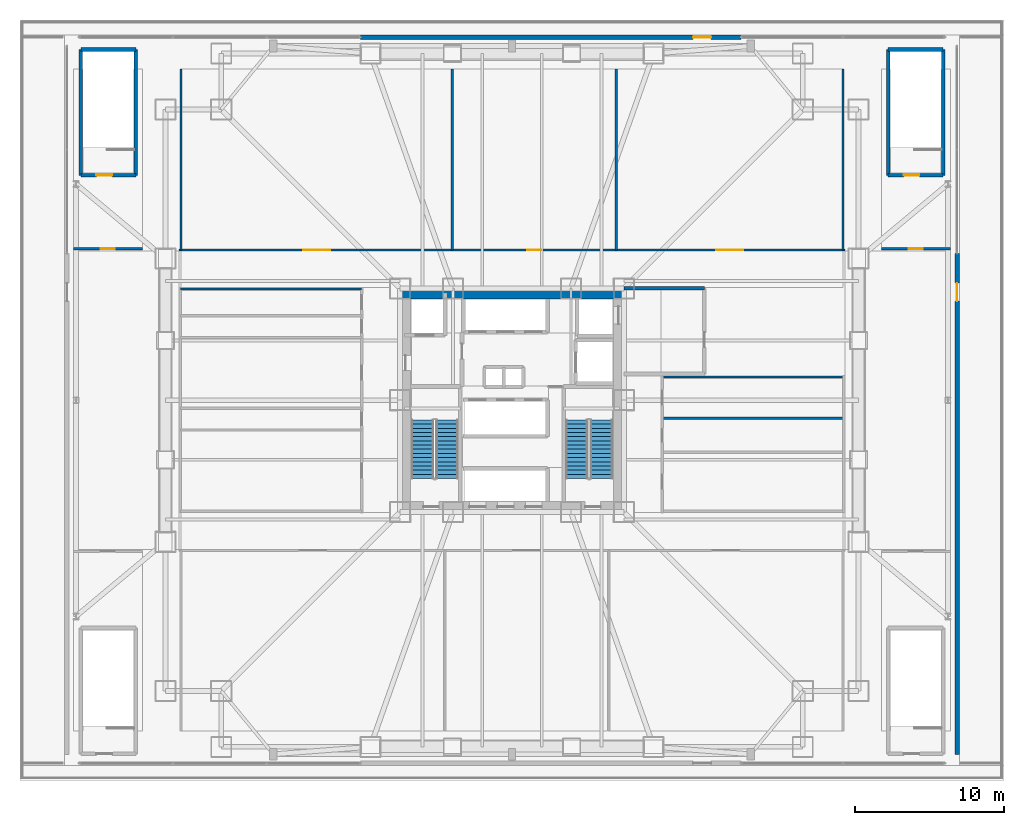
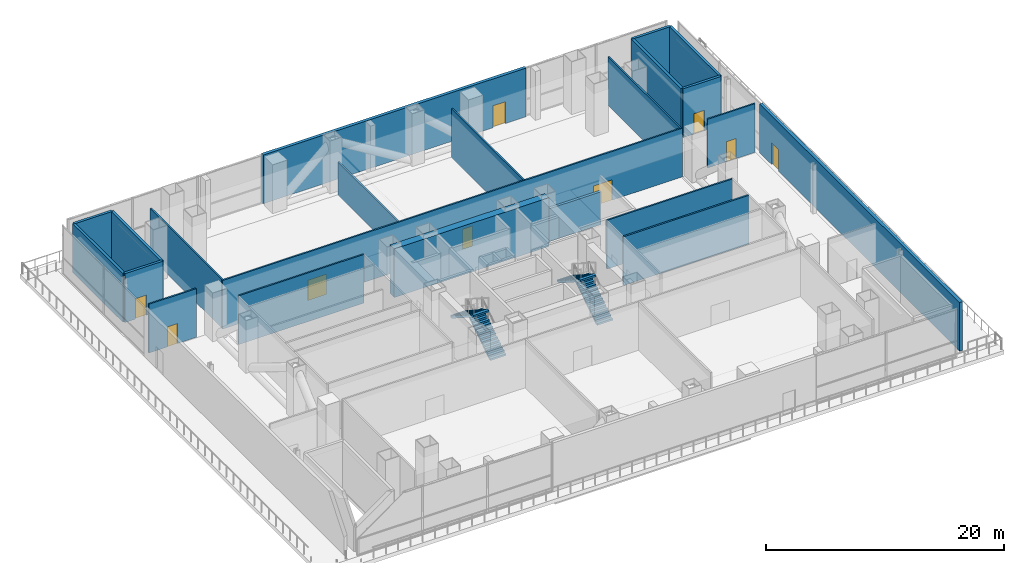
# One storey, part 16 of 21: 22 walls, 9 doors, 4 stair flights, 9 openings, 2 elements without a shape of their own.
"""IFC4 building model written with IfcOpenShell, lengths in metres."""

import ifcopenshell
import ifcopenshell.guid

model = None  # the IFC model being written
_history = None  # IfcOwnerHistory: only IFC2X3 demands one
_inside = {}  # id of a spatial element -> (the spatial element, [elements in it])
_under = {}  # id of a project, library or spatial element -> (it, [spatial elements below it])
_declared = {}  # id of a project -> (the project, [libraries it declares])
_typed = {}  # id of a type object -> (the type object, [elements of that type])
_made_of = {}  # id of a material, layer set ... -> (it, [elements and type objects made of it])


def new_model(schema):
    """Start an empty IFC model of exactly this schema.

    Asked for "IFC4X3", IfcOpenShell would pick the latest addendum, in which some entities
    have other attributes; the version numbers below select the first issue.
    IFC2X3 requires an IfcOwnerHistory on every rooted entity: one is made here for all.
    """
    global model, _history
    if schema == "IFC4X3":
        model = ifcopenshell.file(schema_version=(4, 3, 0, 0))
    else:
        model = ifcopenshell.file(schema=schema)
    _inside.clear()
    _under.clear()
    _declared.clear()
    _typed.clear()
    _made_of.clear()
    _history = None
    if model.schema == "IFC2X3":
        org = make("IfcOrganization", Name="unknown")
        user = make(
            "IfcPersonAndOrganization",
            ThePerson=make("IfcPerson", FamilyName="unknown"),
            TheOrganization=org,
        )
        app = make(
            "IfcApplication",
            ApplicationDeveloper=org,
            Version="unknown",
            ApplicationFullName="unknown",
            ApplicationIdentifier="unknown",
        )
        _history = make(
            "IfcOwnerHistory",
            OwningUser=user,
            OwningApplication=app,
            ChangeAction="ADDED",
            CreationDate=0,
        )
    return model


def make(cls, **values):
    """One entity of the class cls with the attributes given. An attribute that is None is left unset."""
    return model.create_entity(
        cls, **{name: value for name, value in values.items() if value is not None}
    )


def rooted(cls, **values):
    """An entity with a GlobalId (a new one), such as an element, a storey or a relation."""
    return make(cls, GlobalId=ifcopenshell.guid.new(), OwnerHistory=_history, **values)


def si_unit(unit_type, name, prefix=None):
    """IfcSIUnit, for example si_unit("LENGTHUNIT", "METRE", prefix="MILLI")."""
    return make("IfcSIUnit", UnitType=unit_type, Prefix=prefix, Name=name)


def assignment(units):
    """IfcUnitAssignment: the units of a project."""
    return None if units is None else make("IfcUnitAssignment", Units=units)


def point(xyz):
    """IfcCartesianPoint."""
    return None if xyz is None else make("IfcCartesianPoint", Coordinates=xyz)


def direction(xyz):
    """IfcDirection."""
    return None if xyz is None else make("IfcDirection", DirectionRatios=xyz)


def frame(location, z_axis=None, x_axis=None):
    """IfcAxis2Placement3D, a coordinate frame: its origin and axes. An axis left out is left unset."""
    return make(
        "IfcAxis2Placement3D",
        Location=point(location),
        Axis=direction(z_axis),
        RefDirection=direction(x_axis),
    )


def frame_2d(location, x_axis=None):
    """IfcAxis2Placement2D, a coordinate frame in the plane: its origin and x axis."""
    return make(
        "IfcAxis2Placement2D", Location=point(location), RefDirection=direction(x_axis)
    )


def origin():
    """The frame at (0, 0, 0) with its axes left unset."""
    return frame((0.0, 0.0, 0.0))


def place(relative_to, where):
    """IfcLocalPlacement: puts the frame where relative to a parent placement (None: the world)."""
    return make(
        "IfcLocalPlacement", PlacementRelTo=relative_to, RelativePlacement=where
    )


def context(
    kind, dimensions, precision=None, world=None, true_north=None, identifier=None
):
    """IfcGeometricRepresentationContext, for example the 3D "Model" context."""
    return make(
        "IfcGeometricRepresentationContext",
        ContextIdentifier=identifier,
        ContextType=kind,
        CoordinateSpaceDimension=dimensions,
        Precision=precision,
        WorldCoordinateSystem=world,
        TrueNorth=true_north,
    )


def subcontext(parent, identifier, kind, view, scale=None):
    """IfcGeometricRepresentationSubContext, for example "Body" below "Model"."""
    return make(
        "IfcGeometricRepresentationSubContext",
        ContextIdentifier=identifier,
        ContextType=kind,
        ParentContext=parent,
        TargetScale=scale,
        TargetView=view,
    )


def project(units=None, contexts=None):
    """IfcProject with its units and contexts."""
    return rooted(
        "IfcProject",
        Name="project",
        RepresentationContexts=contexts,
        UnitsInContext=assignment(units),
    )


def spatial(cls, under=None, at=None, **own):
    """A site, building, storey or space (cls), placed at a placement, below another one or the project."""
    s = rooted(cls, ObjectPlacement=at, **own)
    if under is not None:
        _under.setdefault(under.id(), (under, []))[1].append(s)
    return s


def polyline(points):
    """IfcPolyline through the points."""
    return make("IfcPolyline", Points=[point(p) for p in points])


def profile(cls, at=None, kind="AREA", **sizes):
    """A parametric profile (cls). Its sizes go by their IFC names, for example OverallWidth=200.0."""
    return make(cls, ProfileType=kind, Position=at, **sizes)


def rectangle(**sizes):
    """IfcRectangleProfileDef."""
    return profile("IfcRectangleProfileDef", **sizes)


def outline(outer, holes=None, kind="AREA"):
    """IfcArbitraryClosedProfileDef: a profile drawn as a closed curve; with holes, ...WithVoids."""
    if holes is None:
        return make("IfcArbitraryClosedProfileDef", ProfileType=kind, OuterCurve=outer)
    return make(
        "IfcArbitraryProfileDefWithVoids",
        ProfileType=kind,
        OuterCurve=outer,
        InnerCurves=holes,
    )


def extrude(swept, where, along, depth):
    """IfcExtrudedAreaSolid: the profile swept, set in the frame where, extruded along a direction by depth."""
    return make(
        "IfcExtrudedAreaSolid",
        SweptArea=swept,
        Position=where,
        ExtrudedDirection=direction(along),
        Depth=depth,
    )


def shape(context_of_items, identifier, shape_type, items):
    """IfcShapeRepresentation: the items that make up one representation, for example the "Body"."""
    return make(
        "IfcShapeRepresentation",
        ContextOfItems=context_of_items,
        RepresentationIdentifier=identifier,
        RepresentationType=shape_type,
        Items=items,
    )


def material(Name=None, Category=None):
    """IfcMaterial."""
    return make("IfcMaterial", Name=Name, Category=Category)


def layer(
    of_material, thickness, ventilated=None, Name=None, Category=None, Priority=None
):
    """IfcMaterialLayer: one layer of a wall or slab, of a material (None: an air gap)."""
    return make(
        "IfcMaterialLayer",
        Material=of_material,
        LayerThickness=thickness,
        IsVentilated=ventilated,
        Name=Name,
        Category=Category,
        Priority=Priority,
    )


def layer_set(layers, Name=None):
    """IfcMaterialLayerSet."""
    return make("IfcMaterialLayerSet", MaterialLayers=layers, LayerSetName=Name)


def made_of(thing, what):
    """Note that an element or type object is made of a material, layer set ...; save() writes the relation."""
    if what is not None:
        _made_of.setdefault(what.id(), (what, []))[1].append(thing)
    return thing


def type_object(cls, material=None, **own):
    """A type object (cls), such as IfcWallType, which elements share."""
    return made_of(rooted(cls, **own), material)


def element(
    cls,
    number,
    at=None,
    inside=None,
    cuts=None,
    type_object=None,
    material=None,
    context=None,
    identifier="Body",
    shape_type=None,
    held_by="IfcProductDefinitionShape",
    body=None,
    shapes=None,
    **own,
):
    """One element of the class cls, such as IfcWall. Its Tag is "e" and its number.

    at: its placement. inside: the storey or other place that contains it. cuts: it is an
    opening in that element (IfcRelVoidsElement). A single representation is given by context,
    identifier, shape_type and body (its items); several are given by shapes. held_by: the class
    of the entity that holds the representations. save() writes the other relations.
    """
    e = rooted(cls, Tag="e%d" % number, ObjectPlacement=at, **own)
    if body is not None:
        shapes = [shape(context, identifier, shape_type, body)]
    if shapes is not None:
        e.Representation = make(held_by, Representations=shapes)
    if inside is not None:
        _inside.setdefault(inside.id(), (inside, []))[1].append(e)
    if cuts is not None:
        rooted(
            "IfcRelVoidsElement", RelatingBuildingElement=cuts, RelatedOpeningElement=e
        )
    if type_object is not None:
        _typed.setdefault(type_object.id(), (type_object, []))[1].append(e)
    return made_of(e, material)


def fill(opening, filler):
    """IfcRelFillsElement: the door or window that sits in an opening."""
    return rooted(
        "IfcRelFillsElement",
        RelatingOpeningElement=opening,
        RelatedBuildingElement=filler,
    )


def aggregate(whole, parts):
    """IfcRelAggregates: a whole, such as a stair, and the parts it consists of."""
    return rooted("IfcRelAggregates", RelatingObject=whole, RelatedObjects=parts)


def save(model, path):
    """Write the relations noted so far, then the file.

    IfcRelAggregates (storeys below a building ...), IfcRelContainedInSpatialStructure (elements
    in a storey), IfcRelDefinesByType, IfcRelAssociatesMaterial and IfcRelDeclares: one each for
    every whole, place, type object, material and project.
    """
    for whole, parts in _under.values():
        aggregate(whole, parts)
    for where, things in _inside.values():
        rooted(
            "IfcRelContainedInSpatialStructure",
            RelatedElements=things,
            RelatingStructure=where,
        )
    for kind, things in _typed.values():
        rooted("IfcRelDefinesByType", RelatedObjects=things, RelatingType=kind)
    for what, things in _made_of.values():
        rooted("IfcRelAssociatesMaterial", RelatedObjects=things, RelatingMaterial=what)
    for by, libraries in _declared.values():
        rooted("IfcRelDeclares", RelatingContext=by, RelatedDefinitions=libraries)
    model.write(path)


model = new_model("IFC4")

# Units and contexts
model_context = context("Model", 3, precision=1e-05, world=origin(), true_north=direction((0.0, 1.0)))
body_context = subcontext(model_context, "Body", "Model", "MODEL_VIEW")
ifc_project = project(units=[si_unit("LENGTHUNIT", "METRE"), si_unit("AREAUNIT", "SQUARE_METRE"), si_unit("VOLUMEUNIT", "CUBIC_METRE"), si_unit("PLANEANGLEUNIT", "RADIAN"), si_unit("MASSUNIT", "GRAM", prefix="KILO")], contexts=[model_context])

# Site, building, storey
site_placement = place(None, origin())
site = spatial("IfcSite", under=ifc_project, at=site_placement, CompositionType="ELEMENT")
building_placement = place(site_placement, origin())
building = spatial("IfcBuilding", under=site, at=building_placement, Name="Trevonay Congress Spire", CompositionType="ELEMENT")
storey_placement = place(building_placement, frame((0.0, 0.0, 21.60009765625)))
storey = spatial("IfcBuildingStorey", under=building, at=storey_placement, Name="L04", CompositionType="ELEMENT", Elevation=21.60009765625)

# Wall
ifc_material_1 = material(Name="Concrete C60/75", Category="concrete")
ifc_layer_1 = layer(ifc_material_1, 0.699951171875, Name="Concrete C60/75")
ifc_layer_set_1 = layer_set([ifc_layer_1], Name="Concrete C60/75")
wall_type_1 = type_object("IfcWallType", Name="WAL-CORE-700", PredefinedType="SHEAR", material=ifc_layer_set_1)
wall_1_placement = place(storey_placement, frame((-7.5, 7.14990234375, 0.0), z_axis=(0.0, 0.0, 1.0), x_axis=(1.0, 0.0, 0.0)))
element("IfcWall", 1, at=wall_1_placement, inside=storey, type_object=wall_type_1, Name="L04 North structural core shear wall", PredefinedType="SHEAR", context=body_context, shape_type="SweptSolid", body=[
    extrude(rectangle(XDim=15.0, YDim=0.699951171875, at=frame_2d((7.5, 0.0))), origin(), (0.0, 0.0, 1.0), 5.0),
])

# Wall, openings, doors
ifc_material_2 = material(Name="Concrete C40/50", Category="concrete")
ifc_layer_2 = layer(ifc_material_2, 0.14990234375, Name="Concrete C40/50")
ifc_layer_set_2 = layer_set([ifc_layer_2], Name="Concrete C40/50")
wall_type_2 = type_object("IfcWallType", Name="WAL-CORR-150", PredefinedType="PARTITIONING", material=ifc_layer_set_2)
wall_2_placement = place(storey_placement, frame((-22.320068359375, 10.080078125, 0.0), z_axis=(0.0, 0.0, 1.0), x_axis=(1.0, 0.0, 0.0)))
wall_2 = element("IfcWall", 2, at=wall_2_placement, inside=storey, type_object=wall_type_2, Name="L04 interior wall WP-L04N-COR", PredefinedType="PARTITIONING", context=body_context, shape_type="SweptSolid", body=[
    extrude(rectangle(XDim=44.64013671875, YDim=0.14990234375, at=frame_2d((22.320068359375, 0.0))), origin(), (0.0, 0.0, 1.0), 5.0),
])
opening_1_placement = place(wall_2_placement, frame((8.320068359375, 0.0, 0.0)))
opening_1 = element("IfcOpeningElement", 3, at=opening_1_placement, cuts=wall_2, Name="Opening D09", PredefinedType="OPENING", context=body_context, shape_type="SweptSolid", body=[
    extrude(rectangle(XDim=1.800048828125, YDim=2.080078125, at=frame_2d((0.89990234375, 1.0400390625))), frame((0.0, 0.0849609375, 0.0), z_axis=(0.0, -1.0, 0.0), x_axis=(1.0, 0.0, 0.0)), (0.0, 0.0, 1.0), 0.169921875),
])
opening_2_placement = place(wall_2_placement, frame((23.344970703125, 0.0, 0.0)))
opening_2 = element("IfcOpeningElement", 4, at=opening_2_placement, cuts=wall_2, Name="Opening D07", PredefinedType="OPENING", context=body_context, shape_type="SweptSolid", body=[
    extrude(rectangle(XDim=0.949951171875, YDim=2.06005859375, at=frame_2d((0.47509765625, 1.030029296875))), frame((0.0, 0.0849609375, 0.0), z_axis=(0.0, -1.0, 0.0), x_axis=(1.0, 0.0, 0.0)), (0.0, 0.0, 1.0), 0.169921875),
])
opening_3_placement = place(wall_2_placement, frame((36.02001953125, 0.0, 0.0)))
opening_3 = element("IfcOpeningElement", 5, at=opening_3_placement, cuts=wall_2, Name="Opening D09", PredefinedType="OPENING", context=body_context, shape_type="SweptSolid", body=[
    extrude(rectangle(XDim=1.800048828125, YDim=2.080078125, at=frame_2d((0.89990234375, 1.0400390625))), frame((0.0, 0.0849609375, 0.0), z_axis=(0.0, -1.0, 0.0), x_axis=(1.0, 0.0, 0.0)), (0.0, 0.0, 1.0), 0.169921875),
])
ifc_material_3 = material(Name="Pale Anodised Aluminium EN AW-6063-T6", Category="aluminium")
door_type_1 = type_object("IfcDoorType", Name="DOR-CONF-DBL", OperationType="DOUBLE_DOOR_SINGLE_SWING", PredefinedType="DOOR", material=ifc_material_3)
door_1_placement = place(opening_1_placement, origin())
door_1 = element("IfcDoor", 6, at=door_1_placement, inside=storey, type_object=door_type_1, Name="L04 International Media Briefing Room Door", OperationType="DOUBLE_DOOR_SINGLE_SWING", OverallHeight=2.080078125, OverallWidth=1.800048828125, PredefinedType="DOOR", context=body_context, shape_type="SweptSolid", body=[
    extrude(rectangle(XDim=1.800048828125, YDim=2.080078125, at=frame_2d((0.89990234375, 1.0400390625))), frame((0.0, 0.02490234375, 0.0), z_axis=(0.0, -1.0, 0.0), x_axis=(1.0, 0.0, 0.0)), (0.0, 0.0, 1.0), 0.050048828125),
])
fill(opening_1, door_1)
door_2_placement = place(opening_3_placement, origin())
door_2 = element("IfcDoor", 7, at=door_2_placement, inside=storey, type_object=door_type_1, Name="L04 Broadcast Interview Room Door", OperationType="DOUBLE_DOOR_SINGLE_SWING", OverallHeight=2.080078125, OverallWidth=1.800048828125, PredefinedType="DOOR", context=body_context, shape_type="SweptSolid", body=[
    extrude(rectangle(XDim=1.800048828125, YDim=2.080078125, at=frame_2d((0.89990234375, 1.0400390625))), frame((0.0, 0.02490234375, 0.0), z_axis=(0.0, -1.0, 0.0), x_axis=(1.0, 0.0, 0.0)), (0.0, 0.0, 1.0), 0.050048828125),
])
fill(opening_3, door_2)
door_type_2 = type_object("IfcDoorType", Name="DOR-OFFICE-95", OperationType="NOTDEFINED", PredefinedType="DOOR", material=ifc_material_3)
door_3_placement = place(opening_2_placement, origin())
door_3 = element("IfcDoor", 8, at=door_3_placement, inside=storey, type_object=door_type_2, Name="L04 Press Filing Studio Door", OperationType="SINGLE_SWING_LEFT", OverallHeight=2.06005859375, OverallWidth=0.949951171875, PredefinedType="DOOR", context=body_context, shape_type="SweptSolid", body=[
    extrude(rectangle(XDim=0.949951171875, YDim=2.06005859375, at=frame_2d((0.47509765625, 1.030029296875))), frame((0.0, 0.02490234375, 0.0), z_axis=(0.0, -1.0, 0.0), x_axis=(1.0, 0.0, 0.0)), (0.0, 0.0, 1.0), 0.050048828125),
])
fill(opening_2, door_3)

# Wall, opening, door
wall_3_placement = place(storey_placement, frame((-29.39990234375, 10.14990234375, 0.0), z_axis=(0.0, 0.0, 1.0), x_axis=(1.0, 0.0, 0.0)))
wall_3 = element("IfcWall", 9, at=wall_3_placement, inside=storey, type_object=wall_type_2, Name="L04 interior wall WL04-OW2", PredefinedType="PARTITIONING", context=body_context, shape_type="SweptSolid", body=[
    extrude(rectangle(XDim=4.599853515625, YDim=0.14990234375, at=frame_2d((2.2998046875, 0.0))), origin(), (0.0, 0.0, 1.0), 5.0),
])
opening_4_placement = place(wall_3_placement, frame((1.800048828125, 0.0, 0.0)))
opening_4 = element("IfcOpeningElement", 10, at=opening_4_placement, cuts=wall_3, Name="Opening D07", PredefinedType="OPENING", context=body_context, shape_type="SweptSolid", body=[
    extrude(rectangle(XDim=0.949951171875, YDim=2.06005859375, at=frame_2d((0.47509765625, 1.030029296875))), frame((0.0, 0.0849609375, 0.0), z_axis=(0.0, -1.0, 0.0), x_axis=(1.0, 0.0, 0.0)), (0.0, 0.0, 1.0), 0.169921875),
])
door_4_placement = place(opening_4_placement, origin())
door_4 = element("IfcDoor", 11, at=door_4_placement, inside=storey, type_object=door_type_2, Name="L04 West Terrace Seminar Suite 2 Door", OperationType="SINGLE_SWING_LEFT", OverallHeight=2.06005859375, OverallWidth=0.949951171875, PredefinedType="DOOR", context=body_context, shape_type="SweptSolid", body=[
    extrude(rectangle(XDim=0.949951171875, YDim=2.06005859375, at=frame_2d((0.47509765625, 1.030029296875))), frame((0.0, 0.02490234375, 0.0), z_axis=(0.0, -1.0, 0.0), x_axis=(1.0, 0.0, 0.0)), (0.0, 0.0, 1.0), 0.050048828125),
])
fill(opening_4, door_4)

wall_4_placement = place(storey_placement, frame((24.800048828125, 10.14990234375, 0.0), z_axis=(0.0, 0.0, 1.0), x_axis=(1.0, 0.0, 0.0)))
wall_4 = element("IfcWall", 12, at=wall_4_placement, inside=storey, type_object=wall_type_2, Name="L04 interior wall WL04-OE2", PredefinedType="PARTITIONING", context=body_context, shape_type="SweptSolid", body=[
    extrude(rectangle(XDim=4.599853515625, YDim=0.14990234375, at=frame_2d((2.2998046875, 0.0))), origin(), (0.0, 0.0, 1.0), 5.0),
])
opening_5_placement = place(wall_4_placement, frame((1.800048828125, 0.0, 0.0)))
opening_5 = element("IfcOpeningElement", 13, at=opening_5_placement, cuts=wall_4, Name="Opening D07", PredefinedType="OPENING", context=body_context, shape_type="SweptSolid", body=[
    extrude(rectangle(XDim=0.949951171875, YDim=2.06005859375, at=frame_2d((0.47509765625, 1.030029296875))), frame((0.0, 0.0849609375, 0.0), z_axis=(0.0, -1.0, 0.0), x_axis=(1.0, 0.0, 0.0)), (0.0, 0.0, 1.0), 0.169921875),
])
door_5_placement = place(opening_5_placement, origin())
door_5 = element("IfcDoor", 14, at=door_5_placement, inside=storey, type_object=door_type_2, Name="L04 East Terrace Boardroom Door", OperationType="SINGLE_SWING_LEFT", OverallHeight=2.06005859375, OverallWidth=0.949951171875, PredefinedType="DOOR", context=body_context, shape_type="SweptSolid", body=[
    extrude(rectangle(XDim=0.949951171875, YDim=2.06005859375, at=frame_2d((0.47509765625, 1.030029296875))), frame((0.0, 0.02490234375, 0.0), z_axis=(0.0, -1.0, 0.0), x_axis=(1.0, 0.0, 0.0)), (0.0, 0.0, 1.0), 0.050048828125),
])
fill(opening_5, door_5)

ifc_material_4 = material(Name="Precast concrete C40/50", Category="concrete")
ifc_layer_3 = layer(ifc_material_4, 0.300048828125, Name="Precast concrete C40/50")
ifc_layer_set_3 = layer_set([ifc_layer_3], Name="Precast concrete C40/50")
wall_type_3 = type_object("IfcWallType", Name="WAL-EXT-PRECAST-300", PredefinedType="SOLIDWALL", material=ifc_layer_set_3)
wall_5_placement = place(storey_placement, frame((29.85009765625, -23.75, 0.0), z_axis=(0.0, 0.0, 1.0), x_axis=(0.0, 1.0, 0.0)))
wall_5 = element("IfcWall", 15, at=wall_5_placement, inside=storey, type_object=wall_type_3, Name="L04 E continuous transfer and terrace doorway backup wall", PredefinedType="SOLIDWALL", context=body_context, shape_type="SweptSolid", body=[
    extrude(rectangle(XDim=33.60009765625, YDim=0.300048828125, at=frame_2d((16.800048828125, 0.0))), origin(), (0.0, 0.0, 1.0), 5.0),
])
opening_6_placement = place(wall_5_placement, frame((30.39990234375, 0.0, 0.0)))
opening_6 = element("IfcOpeningElement", 16, at=opening_6_placement, cuts=wall_5, Name="Opening D12", PredefinedType="OPENING", context=body_context, shape_type="SweptSolid", body=[
    extrude(rectangle(XDim=1.199951171875, YDim=2.25, at=frame_2d((0.60009765625, 1.125))), frame((0.0, 0.16015625, 0.0), z_axis=(0.0, -1.0, 0.0), x_axis=(1.0, 0.0, 0.0)), (0.0, 0.0, 1.0), 0.320068359375),
])
door_type_3 = type_object("IfcDoorType", Name="DOR-EXT-TERR-120", OperationType="NOTDEFINED", PredefinedType="DOOR", material=ifc_material_3)
door_6_placement = place(opening_6_placement, origin())
door_6 = element("IfcDoor", 17, at=door_6_placement, inside=storey, type_object=door_type_3, Name="L04 E stepped terrace access door", OperationType="SINGLE_SWING_RIGHT", OverallHeight=2.25, OverallWidth=1.199951171875, PredefinedType="DOOR", context=body_context, shape_type="SweptSolid", body=[
    extrude(rectangle(XDim=1.199951171875, YDim=2.25, at=frame_2d((0.60009765625, 1.125))), frame((0.0, 0.02490234375, 0.0), z_axis=(0.0, -1.0, 0.0), x_axis=(1.0, 0.0, 0.0)), (0.0, 0.0, 1.0), 0.050048828125),
])
fill(opening_6, door_6)

wall_6_placement = place(storey_placement, frame((-10.14990234375, 24.35009765625, 0.0), z_axis=(0.0, 0.0, 1.0), x_axis=(1.0, 0.0, 0.0)))
wall_6 = element("IfcWall", 18, at=wall_6_placement, inside=storey, type_object=wall_type_3, Name="L04 N continuous transfer and terrace doorway backup wall", PredefinedType="SOLIDWALL", context=body_context, shape_type="SweptSolid", body=[
    extrude(rectangle(XDim=25.5, YDim=0.300048828125, at=frame_2d((12.75, 0.0))), origin(), (0.0, 0.0, 1.0), 5.0),
])
opening_7_placement = place(wall_6_placement, frame((22.300048828125, 0.0, 0.0)))
opening_7 = element("IfcOpeningElement", 19, at=opening_7_placement, cuts=wall_6, Name="Opening D12", PredefinedType="OPENING", context=body_context, shape_type="SweptSolid", body=[
    extrude(rectangle(XDim=1.199951171875, YDim=2.25, at=frame_2d((0.60009765625, 1.125))), frame((0.0, 0.16015625, 0.0), z_axis=(0.0, -1.0, 0.0), x_axis=(1.0, 0.0, 0.0)), (0.0, 0.0, 1.0), 0.320068359375),
])
door_7_placement = place(opening_7_placement, origin())
door_7 = element("IfcDoor", 20, at=door_7_placement, inside=storey, type_object=door_type_3, Name="L04 N stepped terrace access door", OperationType="SINGLE_SWING_LEFT", OverallHeight=2.25, OverallWidth=1.199951171875, PredefinedType="DOOR", context=body_context, shape_type="SweptSolid", body=[
    extrude(rectangle(XDim=1.199951171875, YDim=2.25, at=frame_2d((0.60009765625, 1.125))), frame((0.0, 0.02490234375, 0.0), z_axis=(0.0, -1.0, 0.0), x_axis=(1.0, 0.0, 0.0)), (0.0, 0.0, 1.0), 0.050048828125),
])
fill(opening_7, door_7)

# Walls
ifc_layer_4 = layer(ifc_material_2, 0.14990234375, Name="Concrete C40/50")
ifc_layer_set_4 = layer_set([ifc_layer_4], Name="Concrete C40/50")
wall_type_4 = type_object("IfcWallType", Name="WAL-PART-150", PredefinedType="PARTITIONING", material=ifc_layer_set_4)
wall_7_placement = place(storey_placement, frame((-22.199951171875, 10.080078125, 0.0), z_axis=(0.0, 0.0, 1.0), x_axis=(0.0, 1.0, 0.0)))
element("IfcWall", 21, at=wall_7_placement, inside=storey, type_object=wall_type_4, Name="L04 interior wall WP-L04N-DIV1", PredefinedType="PARTITIONING", context=body_context, shape_type="SweptSolid", body=[
    extrude(rectangle(XDim=12.119873046875, YDim=0.14990234375, at=frame_2d((6.06005859375, 0.0))), origin(), (0.0, 0.0, 1.0), 5.0),
])
wall_8_placement = place(storey_placement, frame((-4.0, 10.080078125, 0.0), z_axis=(0.0, 0.0, 1.0), x_axis=(0.0, 1.0, 0.0)))
element("IfcWall", 22, at=wall_8_placement, inside=storey, type_object=wall_type_4, Name="L04 interior wall WP-L04N-DIV2", PredefinedType="PARTITIONING", context=body_context, shape_type="SweptSolid", body=[
    extrude(rectangle(XDim=12.119873046875, YDim=0.14990234375, at=frame_2d((6.06005859375, 0.0))), origin(), (0.0, 0.0, 1.0), 3.375),
])
for number, where, z_axis, x_axis, name in (
    (23, (7.0, 10.080078125, 0.0), (0.0, 0.0, 1.0), (0.0, 1.0, 0.0), "L04 interior wall WP-L04N-DIV3"),
    (24, (22.199951171875, 10.080078125, 0.0), (0.0, 0.0, 1.0), (0.0, 1.0, 0.0), "L04 interior wall WP-L04N-DIV4"),
):
    element("IfcWall", number, at=place(storey_placement, frame(where, z_axis=z_axis, x_axis=x_axis)), inside=storey, type_object=wall_type_4, Name=name, PredefinedType="PARTITIONING", context=body_context, shape_type="SweptSolid", body=[
        extrude(rectangle(XDim=12.119873046875, YDim=0.14990234375, at=frame_2d((6.06005859375, 0.0))), origin(), (0.0, 0.0, 1.0), 5.0),
    ])
for number, where, z_axis, x_axis, name in (
    (25, (-22.25, 7.449951171875, 0.0), (0.0, 0.0, 1.0), (1.0, 0.0, 0.0), "L04 interior wall WP-L04W-DIV4"),
    (26, (10.080078125, 1.550048828125, 0.0), (0.0, 0.0, 1.0), (1.0, 0.0, 0.0), "L04 interior wall WP-L04E-DIV3"),
):
    element("IfcWall", number, at=place(storey_placement, frame(where, z_axis=z_axis, x_axis=x_axis)), inside=storey, type_object=wall_type_4, Name=name, PredefinedType="PARTITIONING", context=body_context, shape_type="SweptSolid", body=[
        extrude(rectangle(XDim=12.169921875, YDim=0.14990234375, at=frame_2d((6.0849609375, 0.0))), origin(), (0.0, 0.0, 1.0), 5.0),
    ])
ifc_layer_5 = layer(ifc_material_2, 0.25, Name="Concrete C40/50")
ifc_layer_set_5 = layer_set([ifc_layer_5], Name="Concrete C40/50")
wall_type_5 = type_object("IfcWallType", Name="WAL-SHAFT-250", PredefinedType="SHEAR", material=ifc_layer_set_5)
wall_9_placement = place(storey_placement, frame((7.5, 7.5, 0.0), z_axis=(0.0, 0.0, 1.0), x_axis=(1.0, 0.0, 0.0)))
element("IfcWall", 27, at=wall_9_placement, inside=storey, type_object=wall_type_5, Name="L04 interior wall WP-L04-FFLE-N", PredefinedType="SHEAR", context=body_context, shape_type="SweptSolid", body=[
    extrude(rectangle(XDim=5.39990234375, YDim=0.25, at=frame_2d((2.699951171875, 0.0))), origin(), (0.0, 0.0, 1.0), 3.375),
])

# Wall, opening, door
ifc_layer_6 = layer(ifc_material_2, 0.25, Name="Concrete C40/50")
ifc_layer_set_6 = layer_set([ifc_layer_6], Name="Concrete C40/50")
wall_type_6 = type_object("IfcWallType", Name="WAL-SHAFT-LB-250", PredefinedType="SHEAR", material=ifc_layer_set_6)
wall_10_placement = place(storey_placement, frame((-28.919921875, 15.080078125, 0.0), z_axis=(0.0, 0.0, 1.0), x_axis=(1.0, 0.0, 0.0)))
wall_10 = element("IfcWall", 28, at=wall_10_placement, inside=storey, type_object=wall_type_6, Name="L04 interior shaft wall WSH-L04-ST-5-S", PredefinedType="SHEAR", context=body_context, shape_type="SweptSolid", body=[
    extrude(rectangle(XDim=3.68994140625, YDim=0.25, at=frame_2d((1.844970703125, 0.0))), origin(), (0.0, 0.0, 1.0), 5.0),
])
opening_8_placement = place(wall_10_placement, frame((1.050048828125, 0.0, 0.0)))
opening_8 = element("IfcOpeningElement", 29, at=opening_8_placement, cuts=wall_10, Name="Opening D05", PredefinedType="OPENING", context=body_context, shape_type="SweptSolid", body=[
    extrude(rectangle(XDim=1.050048828125, YDim=2.080078125, at=frame_2d((0.52490234375, 1.0400390625))), frame((0.0, 0.135009765625, 0.0), z_axis=(0.0, -1.0, 0.0), x_axis=(1.0, 0.0, 0.0)), (0.0, 0.0, 1.0), 0.27001953125),
])
ifc_material_5 = material(Name="Steel ASTM A572 Grade 50", Category="steel")
door_type_4 = type_object("IfcDoorType", Name="DOR-STAIR-110", OperationType="NOTDEFINED", PredefinedType="DOOR", material=ifc_material_5)
door_8_placement = place(opening_8_placement, origin())
door_8 = element("IfcDoor", 30, at=door_8_placement, inside=storey, type_object=door_type_4, Name="L04 Escape Stair ST-5 Door", OperationType="SINGLE_SWING_RIGHT", OverallHeight=2.080078125, OverallWidth=1.050048828125, PredefinedType="DOOR", context=body_context, shape_type="SweptSolid", body=[
    extrude(rectangle(XDim=1.050048828125, YDim=2.080078125, at=frame_2d((0.52490234375, 1.0400390625))), frame((0.0, 0.02490234375, 0.0), z_axis=(0.0, -1.0, 0.0), x_axis=(1.0, 0.0, 0.0)), (0.0, 0.0, 1.0), 0.050048828125),
])
fill(opening_8, door_8)

# Walls
wall_11_placement = place(storey_placement, frame((-28.919921875, 23.52001953125, 0.0), z_axis=(0.0, 0.0, 1.0), x_axis=(1.0, 0.0, 0.0)))
element("IfcWall", 31, at=wall_11_placement, inside=storey, type_object=wall_type_6, Name="L04 interior shaft wall WSH-L04-ST-5-N", PredefinedType="SHEAR", context=body_context, shape_type="SweptSolid", body=[
    extrude(rectangle(XDim=3.68994140625, YDim=0.25, at=frame_2d((1.844970703125, 0.0))), origin(), (0.0, 0.0, 1.0), 5.0),
])
for number, where, z_axis, x_axis, name in (
    (32, (-28.919921875, 15.080078125, 0.0), (0.0, 0.0, 1.0), (0.0, 1.0, 0.0), "L04 interior shaft wall WSH-L04-ST-5-W"),
    (33, (-25.22998046875, 15.080078125, 0.0), (0.0, 0.0, 1.0), (0.0, 1.0, 0.0), "L04 interior shaft wall WSH-L04-ST-5-E"),
):
    element("IfcWall", number, at=place(storey_placement, frame(where, z_axis=z_axis, x_axis=x_axis)), inside=storey, type_object=wall_type_6, Name=name, PredefinedType="SHEAR", context=body_context, shape_type="SweptSolid", body=[
        extrude(rectangle(XDim=8.43994140625, YDim=0.25, at=frame_2d((4.219970703125, 0.0))), origin(), (0.0, 0.0, 1.0), 5.0),
    ])

# Wall, opening, door
wall_12_placement = place(storey_placement, frame((25.22998046875, 15.080078125, 0.0), z_axis=(0.0, 0.0, 1.0), x_axis=(1.0, 0.0, 0.0)))
wall_12 = element("IfcWall", 34, at=wall_12_placement, inside=storey, type_object=wall_type_6, Name="L04 interior shaft wall WSH-L04-ST-6-S", PredefinedType="SHEAR", context=body_context, shape_type="SweptSolid", body=[
    extrude(rectangle(XDim=3.68994140625, YDim=0.25, at=frame_2d((1.844970703125, 0.0))), origin(), (0.0, 0.0, 1.0), 5.0),
])
opening_9_placement = place(wall_12_placement, frame((1.050048828125, 0.0, 0.0)))
opening_9 = element("IfcOpeningElement", 35, at=opening_9_placement, cuts=wall_12, Name="Opening D05", PredefinedType="OPENING", context=body_context, shape_type="SweptSolid", body=[
    extrude(rectangle(XDim=1.050048828125, YDim=2.080078125, at=frame_2d((0.52490234375, 1.0400390625))), frame((0.0, 0.135009765625, 0.0), z_axis=(0.0, -1.0, 0.0), x_axis=(1.0, 0.0, 0.0)), (0.0, 0.0, 1.0), 0.27001953125),
])
door_9_placement = place(opening_9_placement, origin())
door_9 = element("IfcDoor", 36, at=door_9_placement, inside=storey, type_object=door_type_4, Name="L04 Escape Stair ST-6 Door", OperationType="SINGLE_SWING_LEFT", OverallHeight=2.080078125, OverallWidth=1.050048828125, PredefinedType="DOOR", context=body_context, shape_type="SweptSolid", body=[
    extrude(rectangle(XDim=1.050048828125, YDim=2.080078125, at=frame_2d((0.52490234375, 1.0400390625))), frame((0.0, 0.02490234375, 0.0), z_axis=(0.0, -1.0, 0.0), x_axis=(1.0, 0.0, 0.0)), (0.0, 0.0, 1.0), 0.050048828125),
])
fill(opening_9, door_9)

# Walls
wall_13_placement = place(storey_placement, frame((25.22998046875, 23.52001953125, 0.0), z_axis=(0.0, 0.0, 1.0), x_axis=(1.0, 0.0, 0.0)))
element("IfcWall", 37, at=wall_13_placement, inside=storey, type_object=wall_type_6, Name="L04 interior shaft wall WSH-L04-ST-6-N", PredefinedType="SHEAR", context=body_context, shape_type="SweptSolid", body=[
    extrude(rectangle(XDim=3.68994140625, YDim=0.25, at=frame_2d((1.844970703125, 0.0))), origin(), (0.0, 0.0, 1.0), 5.0),
])
for number, where, z_axis, x_axis, name in (
    (38, (25.22998046875, 15.080078125, 0.0), (0.0, 0.0, 1.0), (0.0, 1.0, 0.0), "L04 interior shaft wall WSH-L04-ST-6-W"),
    (39, (28.919921875, 15.080078125, 0.0), (0.0, 0.0, 1.0), (0.0, 1.0, 0.0), "L04 interior shaft wall WSH-L04-ST-6-E"),
):
    element("IfcWall", number, at=place(storey_placement, frame(where, z_axis=z_axis, x_axis=x_axis)), inside=storey, type_object=wall_type_6, Name=name, PredefinedType="SHEAR", context=body_context, shape_type="SweptSolid", body=[
        extrude(rectangle(XDim=8.43994140625, YDim=0.25, at=frame_2d((4.219970703125, 0.0))), origin(), (0.0, 0.0, 1.0), 5.0),
    ])
ifc_layer_7 = layer(ifc_material_2, 0.1650390625, Name="Concrete C40/50")
ifc_layer_set_7 = layer_set([ifc_layer_7], Name="Concrete C40/50")
wall_type_7 = type_object("IfcWallType", Name="WAL-WET-165", PredefinedType="PLUMBINGWALL", material=ifc_layer_set_7)
wall_14_placement = place(storey_placement, frame((10.080078125, -1.219970703125, 0.0), z_axis=(0.0, 0.0, 1.0), x_axis=(1.0, 0.0, 0.0)))
element("IfcWall", 40, at=wall_14_placement, inside=storey, type_object=wall_type_7, Name="L04 interior wall WP-L04E-WCS2", PredefinedType="PLUMBINGWALL", context=body_context, shape_type="SweptSolid", body=[
    extrude(rectangle(XDim=12.169921875, YDim=0.1650390625, at=frame_2d((6.0849609375, 0.0))), origin(), (0.0, 0.0, 1.0), 5.0),
])

# Stair, stair flights
stair_type_1 = type_object("IfcStairType", Name="STR-ST-1", PredefinedType="HALF_TURN_STAIR", material=ifc_material_2)
stair_1_placement = place(storey_placement, origin())
stair_1 = element("IfcStair", 41, at=stair_1_placement, inside=storey, type_object=stair_type_1, Name="L04 Protected Exit Stair ST-1", PredefinedType="HALF_TURN_STAIR")
stair_flight_type_1 = type_object("IfcStairFlightType", Name="SFL-ST-1", PredefinedType="STRAIGHT", material=ifc_material_2)
stair_flight_1_placement = place(storey_placement, frame((-4.35009765625, -5.25, 0.0), z_axis=(0.0, 0.0, 1.0), x_axis=(0.0, 1.0, 0.0)))
stair_flight_1 = element("IfcStairFlight", 42, at=stair_flight_1_placement, type_object=stair_flight_type_1, Name="ST-1 flight 1", NumberOfRisers=15, NumberOfTreads=14, PredefinedType="STRAIGHT", RiserHeight=0.18, TreadLength=0.28, context=body_context, shape_type="SweptSolid", body=[
    extrude(outline(polyline([(0.0, 0.0), (0.0, 0.179931640625), (0.280029296875, 0.179931640625), (0.280029296875, 0.360107421875), (0.56005859375, 0.360107421875), (0.56005859375, 0.5400390625), (0.840087890625, 0.5400390625), (0.840087890625, 0.719970703125), (1.1201171875, 0.719970703125), (1.1201171875, 0.89990234375), (1.39990234375, 0.89990234375), (1.39990234375, 1.080078125), (1.679931640625, 1.080078125), (1.679931640625, 1.260009765625), (1.9599609375, 1.260009765625), (1.9599609375, 1.43994140625), (2.239990234375, 1.43994140625), (2.239990234375, 1.6201171875), (2.52001953125, 1.6201171875), (2.52001953125, 1.800048828125), (2.800048828125, 1.800048828125), (2.800048828125, 1.97998046875), (3.080078125, 1.97998046875), (3.080078125, 2.159912109375), (3.360107421875, 2.159912109375), (3.360107421875, 2.340087890625), (3.639892578125, 2.340087890625), (3.639892578125, 2.52001953125), (3.919921875, 2.52001953125), (3.919921875, 2.699951171875), (3.919921875, 2.341796875), (0.277099609375, 0.0), (0.0, 0.0)])), frame((0.0, 0.75, 0.0), z_axis=(0.0, -1.0, 0.0), x_axis=(1.0, 0.0, 0.0)), (0.0, 0.0, 1.0), 1.5),
])
stair_flight_2_placement = place(storey_placement, frame((-6.0, -1.330078125, 2.699951171875), z_axis=(0.0, 0.0, 1.0), x_axis=(0.0, -1.0, 0.0)))
stair_flight_2 = element("IfcStairFlight", 43, at=stair_flight_2_placement, type_object=stair_flight_type_1, Name="ST-1 flight 2", NumberOfRisers=15, NumberOfTreads=14, PredefinedType="STRAIGHT", RiserHeight=0.18, TreadLength=0.28, context=body_context, shape_type="SweptSolid", body=[
    extrude(outline(polyline([(0.0, 0.0), (0.0, 0.179931640625), (0.280029296875, 0.179931640625), (0.280029296875, 0.360107421875), (0.56005859375, 0.360107421875), (0.56005859375, 0.5400390625), (0.840087890625, 0.5400390625), (0.840087890625, 0.719970703125), (1.1201171875, 0.719970703125), (1.1201171875, 0.89990234375), (1.39990234375, 0.89990234375), (1.39990234375, 1.080078125), (1.679931640625, 1.080078125), (1.679931640625, 1.260009765625), (1.9599609375, 1.260009765625), (1.9599609375, 1.43994140625), (2.239990234375, 1.43994140625), (2.239990234375, 1.6201171875), (2.52001953125, 1.6201171875), (2.52001953125, 1.800048828125), (2.800048828125, 1.800048828125), (2.800048828125, 1.97998046875), (3.080078125, 1.97998046875), (3.080078125, 2.159912109375), (3.360107421875, 2.159912109375), (3.360107421875, 2.340087890625), (3.639892578125, 2.340087890625), (3.639892578125, 2.52001953125), (3.919921875, 2.52001953125), (3.919921875, 2.699951171875), (3.919921875, 2.341796875), (0.277099609375, 0.0), (0.0, 0.0)])), frame((0.0, 0.75, 0.0), z_axis=(0.0, -1.0, 0.0), x_axis=(1.0, 0.0, 0.0)), (0.0, 0.0, 1.0), 1.5),
])
aggregate(stair_1, [stair_flight_1, stair_flight_2])

stair_type_2 = type_object("IfcStairType", Name="STR-ST-2", PredefinedType="HALF_TURN_STAIR", material=ifc_material_2)
stair_2_placement = place(storey_placement, origin())
stair_2 = element("IfcStair", 44, at=stair_2_placement, inside=storey, type_object=stair_type_2, Name="L04 Protected Exit Stair ST-2", PredefinedType="HALF_TURN_STAIR")
stair_flight_type_2 = type_object("IfcStairFlightType", Name="SFL-ST-2", PredefinedType="STRAIGHT", material=ifc_material_2)
stair_flight_3_placement = place(storey_placement, frame((6.0, -5.25, 0.0), z_axis=(0.0, 0.0, 1.0), x_axis=(0.0, 1.0, 0.0)))
stair_flight_3 = element("IfcStairFlight", 45, at=stair_flight_3_placement, type_object=stair_flight_type_2, Name="ST-2 flight 1", NumberOfRisers=15, NumberOfTreads=14, PredefinedType="STRAIGHT", RiserHeight=0.18, TreadLength=0.28, context=body_context, shape_type="SweptSolid", body=[
    extrude(outline(polyline([(0.0, 0.0), (0.0, 0.179931640625), (0.280029296875, 0.179931640625), (0.280029296875, 0.360107421875), (0.56005859375, 0.360107421875), (0.56005859375, 0.5400390625), (0.840087890625, 0.5400390625), (0.840087890625, 0.719970703125), (1.1201171875, 0.719970703125), (1.1201171875, 0.89990234375), (1.39990234375, 0.89990234375), (1.39990234375, 1.080078125), (1.679931640625, 1.080078125), (1.679931640625, 1.260009765625), (1.9599609375, 1.260009765625), (1.9599609375, 1.43994140625), (2.239990234375, 1.43994140625), (2.239990234375, 1.6201171875), (2.52001953125, 1.6201171875), (2.52001953125, 1.800048828125), (2.800048828125, 1.800048828125), (2.800048828125, 1.97998046875), (3.080078125, 1.97998046875), (3.080078125, 2.159912109375), (3.360107421875, 2.159912109375), (3.360107421875, 2.340087890625), (3.639892578125, 2.340087890625), (3.639892578125, 2.52001953125), (3.919921875, 2.52001953125), (3.919921875, 2.699951171875), (3.919921875, 2.341796875), (0.277099609375, 0.0), (0.0, 0.0)])), frame((0.0, 0.75, 0.0), z_axis=(0.0, -1.0, 0.0), x_axis=(1.0, 0.0, 0.0)), (0.0, 0.0, 1.0), 1.5),
])
stair_flight_4_placement = place(storey_placement, frame((4.35009765625, -1.330078125, 2.699951171875), z_axis=(0.0, 0.0, 1.0), x_axis=(0.0, -1.0, 0.0)))
stair_flight_4 = element("IfcStairFlight", 46, at=stair_flight_4_placement, type_object=stair_flight_type_2, Name="ST-2 flight 2", NumberOfRisers=15, NumberOfTreads=14, PredefinedType="STRAIGHT", RiserHeight=0.18, TreadLength=0.28, context=body_context, shape_type="SweptSolid", body=[
    extrude(outline(polyline([(0.0, 0.0), (0.0, 0.179931640625), (0.280029296875, 0.179931640625), (0.280029296875, 0.360107421875), (0.56005859375, 0.360107421875), (0.56005859375, 0.5400390625), (0.840087890625, 0.5400390625), (0.840087890625, 0.719970703125), (1.1201171875, 0.719970703125), (1.1201171875, 0.89990234375), (1.39990234375, 0.89990234375), (1.39990234375, 1.080078125), (1.679931640625, 1.080078125), (1.679931640625, 1.260009765625), (1.9599609375, 1.260009765625), (1.9599609375, 1.43994140625), (2.239990234375, 1.43994140625), (2.239990234375, 1.6201171875), (2.52001953125, 1.6201171875), (2.52001953125, 1.800048828125), (2.800048828125, 1.800048828125), (2.800048828125, 1.97998046875), (3.080078125, 1.97998046875), (3.080078125, 2.159912109375), (3.360107421875, 2.159912109375), (3.360107421875, 2.340087890625), (3.639892578125, 2.340087890625), (3.639892578125, 2.52001953125), (3.919921875, 2.52001953125), (3.919921875, 2.699951171875), (3.919921875, 2.341796875), (0.277099609375, 0.0), (0.0, 0.0)])), frame((0.0, 0.75, 0.0), z_axis=(0.0, -1.0, 0.0), x_axis=(1.0, 0.0, 0.0)), (0.0, 0.0, 1.0), 1.5),
])
aggregate(stair_2, [stair_flight_3, stair_flight_4])

save(model, "model.ifc")
